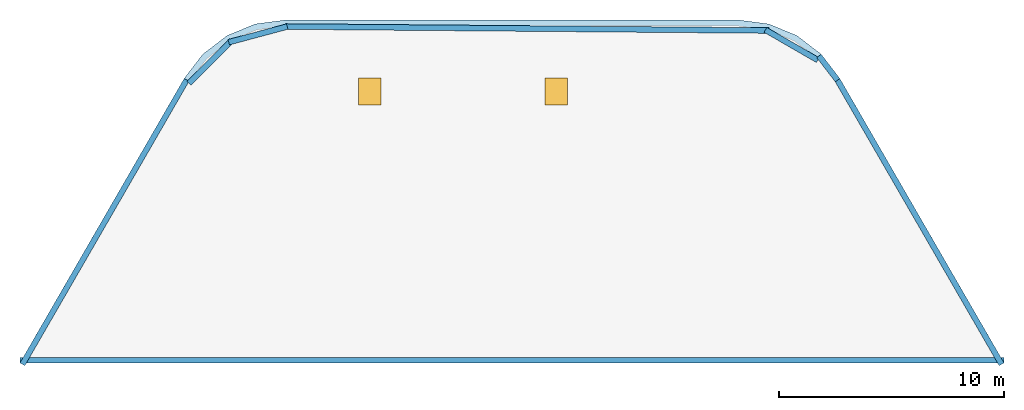
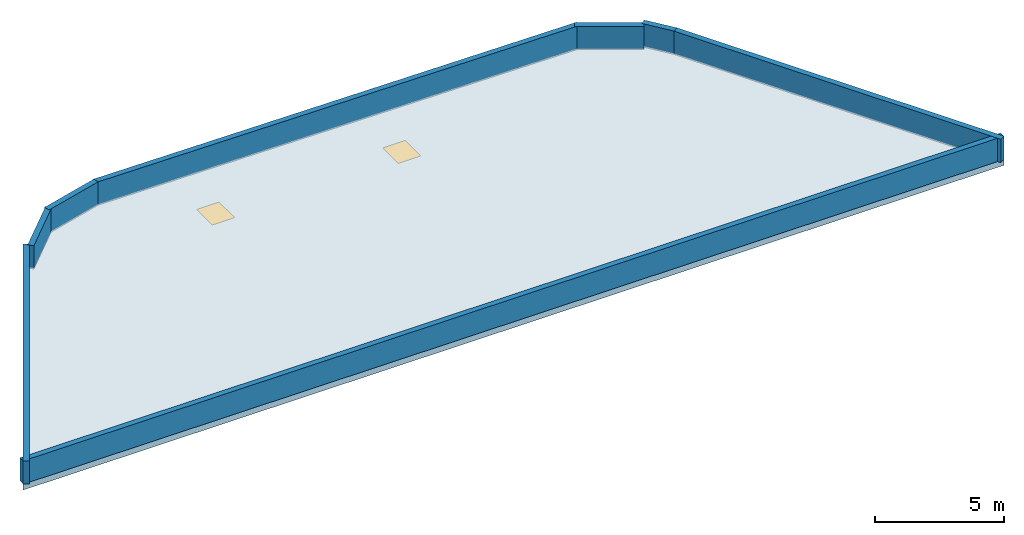
"""IFC4 building model written with IfcOpenShell, lengths in metres."""

from ifc_helpers import new_model, si_unit, direction, frame, frame_2d, origin, origin_2d, place, context, subcontext, project, spatial, polyline, rectangle, outline, extrude, material, layer, layer_set, type_object, element, fill, save


model = new_model("IFC4")

# Units and contexts
model_context = context("Model", 3, precision=1e-05, world=origin(), true_north=direction((0.0, 1.0)))
body_context = subcontext(model_context, "Body", "Model", "MODEL_VIEW")
ifc_project = project(units=[si_unit("LENGTHUNIT", "METRE"), si_unit("AREAUNIT", "SQUARE_METRE"), si_unit("VOLUMEUNIT", "CUBIC_METRE"), si_unit("PLANEANGLEUNIT", "RADIAN"), si_unit("MASSUNIT", "GRAM", prefix="KILO")], contexts=[model_context])

# Site, building, storey
site_placement = place(None, origin())
site = spatial("IfcSite", under=ifc_project, at=site_placement, CompositionType="ELEMENT")
building_placement = place(site_placement, origin())
building = spatial("IfcBuilding", under=site, at=building_placement, Name="Nakaniwa Court", CompositionType="ELEMENT")
storey_1_placement = place(building_placement, frame((0.0, 0.0, 297.60009765625)))
storey_1 = spatial("IfcBuildingStorey", under=building, at=storey_1_placement, Name="ROOF", CompositionType="ELEMENT", Elevation=297.60009765625)

# Slab, openings
ifc_material_1 = material(Name="Concrete C80/100", Category="concrete")
ifc_layer_1 = layer(ifc_material_1, 0.27490234375)
ifc_layer_set_1 = layer_set([ifc_layer_1], Name="Concrete C80/100")
slab_type = type_object("IfcSlabType", Name="Concrete C80/100 roof slab 275", PredefinedType="ROOF", material=ifc_layer_set_1)
slab_placement = place(storey_1_placement, frame((0.0, 0.0, -0.275146484375)))
slab = element("IfcSlab", 1, at=slab_placement, inside=storey_1, type_object=slab_type, Name="ROOF SLAB NORTH BAR", PredefinedType="ROOF", context=body_context, shape_type="SweptSolid", body=[
    extrude(outline(polyline([(58.118408203125, 87.39990234375), (101.881591796875, 87.39990234375), (94.578125, 100.050048828125), (93.751708984375, 101.126953125), (92.6748046875, 101.953369140625), (91.420654296875, 102.472900390625), (90.07470703125, 102.64990234375), (69.92529296875, 102.64990234375), (68.579345703125, 102.472900390625), (67.3251953125, 101.953369140625), (66.248291015625, 101.126953125), (65.421875, 100.050048828125), (58.118408203125, 87.39990234375)])), origin(), (0.0, 0.0, 1.0), 0.275146484375),
])
opening_1_placement = place(slab_placement, frame((73.675048828125, 99.47509765625, 0.0)))
opening_1 = element("IfcOpeningElement", 2, at=opening_1_placement, cuts=slab, Name="Opening XD14.01", PredefinedType="OPENING", context=body_context, shape_type="SweptSolid", body=[
    extrude(rectangle(XDim=1.0, YDim=1.199951171875, at=origin_2d()), frame((0.0, 0.0, -0.010009765625)), (0.0, 0.0, 1.0), 0.295166015625),
])
opening_2_placement = place(slab_placement, frame((81.97509765625, 99.47509765625, 0.0)))
opening_2 = element("IfcOpeningElement", 3, at=opening_2_placement, cuts=slab, Name="Opening XD14.02", PredefinedType="OPENING", context=body_context, shape_type="SweptSolid", body=[
    extrude(rectangle(XDim=1.0, YDim=1.199951171875, at=origin_2d()), frame((0.0, 0.0, -0.010009765625)), (0.0, 0.0, 1.0), 0.295166015625),
])

# Storey
storey_2_placement = place(building_placement, frame((0.0, 0.0, 294.0)))
storey_2 = spatial("IfcBuildingStorey", under=building, at=storey_2_placement, Name="C07", CompositionType="ELEMENT", Elevation=294.0)

# Door
ifc_material_2 = material(Name="Black powder-coated aluminium frame with dark laminated glass", Category="aluminium")
door_type = type_object("IfcDoorType", Name="Roof access hatch 1000x1200", OperationType="SINGLE_SWING_LEFT", PredefinedType="TRAPDOOR", material=ifc_material_2)
door_1_placement = place(opening_1_placement, frame((0.0, 0.0, 0.22509765625)))
door_1 = element("IfcDoor", 4, at=door_1_placement, inside=storey_2, type_object=door_type, Name="C07 roof access hatch W", OperationType="SINGLE_SWING_LEFT", OverallHeight=1.199951171875, OverallWidth=1.0, PredefinedType="TRAPDOOR", context=body_context, shape_type="SweptSolid", body=[
    extrude(rectangle(XDim=1.0, YDim=1.199951171875, at=origin_2d()), origin(), (0.0, 0.0, 1.0), 0.050048828125),
])

fill(opening_1, door_1)

door_2_placement = place(opening_2_placement, frame((0.0, 0.0, 0.22509765625)))
door_2 = element("IfcDoor", 5, at=door_2_placement, inside=storey_2, type_object=door_type, Name="C07 roof access hatch E", OperationType="SINGLE_SWING_LEFT", OverallHeight=1.199951171875, OverallWidth=1.0, PredefinedType="TRAPDOOR", context=body_context, shape_type="SweptSolid", body=[
    extrude(rectangle(XDim=1.0, YDim=1.199951171875, at=origin_2d()), origin(), (0.0, 0.0, 1.0), 0.050048828125),
])

fill(opening_2, door_2)

# Walls
ifc_material_3 = material(Name="Charcoal ceramic cladding")
ifc_layer_2 = layer(ifc_material_3, 0.02, Name="Ceramic cladding")
ifc_material_4 = material(Name="Mineral wool insulation")
ifc_layer_3 = layer(ifc_material_4, 0.03, Name="Insulation")
ifc_material_5 = material(Name="Precast concrete C40/50", Category="concrete")
ifc_layer_4 = layer(ifc_material_5, 0.2, Name="Parapet upstand")
ifc_layer_set_2 = layer_set([ifc_layer_2, ifc_layer_3, ifc_layer_4], Name="Charcoal ceramic cladding on precast concrete C40/50 upstand")
wall_type = type_object("IfcWallType", Name="Black ceramic parapet 250", PredefinedType="PARAPET", material=ifc_layer_set_2)
wall_1_placement = place(storey_1_placement, frame((65.5302734375, 99.987548828125, 0.0), z_axis=(0.0, 0.0, 1.0), x_axis=(-0.499994933211, -0.866028329077, 0.0)))
element("IfcWall", 6, at=wall_1_placement, inside=storey_1, type_object=wall_type, Name="C07 roof parapet, north bar 1", PredefinedType="PARAPET", context=body_context, shape_type="SweptSolid", body=[
    extrude(rectangle(XDim=14.607177734375, YDim=0.25, at=frame_2d((7.3037109375, 0.0))), origin(), (0.0, 0.0, 1.0), 1.099853515625),
])
wall_2_placement = place(storey_1_placement, frame((58.118408203125, 87.52490234375, 0.0), z_axis=(0.0, 0.0, 1.0), x_axis=(1.0, 0.0, 0.0)))
element("IfcWall", 7, at=wall_2_placement, inside=storey_1, type_object=wall_type, Name="C07 roof parapet, north bar 2", PredefinedType="PARAPET", context=body_context, shape_type="SweptSolid", body=[
    extrude(rectangle(XDim=43.76318359375, YDim=0.25, at=frame_2d((21.881591796875, 0.0))), origin(), (0.0, 0.0, 1.0), 1.099853515625),
])
wall_3_placement = place(storey_1_placement, frame((101.773193359375, 87.33740234375, 0.0), z_axis=(0.0, 0.0, 1.0), x_axis=(-0.499994933211, 0.866028329077, 0.0)))
element("IfcWall", 8, at=wall_3_placement, inside=storey_1, type_object=wall_type, Name="C07 roof parapet, north bar 3", PredefinedType="PARAPET", context=body_context, shape_type="SweptSolid", body=[
    extrude(rectangle(XDim=14.607177734375, YDim=0.25, at=frame_2d((7.3037109375, 0.0))), origin(), (0.0, 0.0, 1.0), 1.099853515625),
])
wall_4_placement = place(storey_1_placement, frame((94.47900390625, 99.973876953125, 0.0), z_axis=(0.0, 0.0, 1.0), x_axis=(-0.608797726736, 0.793325486746, 0.0)))
element("IfcWall", 9, at=wall_4_placement, inside=storey_1, type_object=wall_type, Name="C07 roof parapet, north bar 4", PredefinedType="PARAPET", context=body_context, shape_type="SweptSolid", body=[
    extrude(rectangle(XDim=1.357421875, YDim=0.25, at=frame_2d((0.6787109375, 0.0))), origin(), (0.0, 0.0, 1.0), 1.099853515625),
])
wall_5_placement = place(storey_1_placement, frame((93.6005859375, 100.865234375, 0.0), z_axis=(0.0, 0.0, 1.0), x_axis=(-0.866007351526, 0.500031266125, 0.0)))
element("IfcWall", 10, at=wall_5_placement, inside=storey_1, type_object=wall_type, Name="C07 roof parapet, north bar 5", PredefinedType="PARAPET", context=body_context, shape_type="SweptSolid", body=[
    extrude(rectangle(XDim=2.691650390625, YDim=0.25, at=frame_2d((1.345703125, 0.0))), origin(), (0.0, 0.0, 1.0), 1.099853515625),
])
wall_6_placement = place(storey_1_placement, frame((91.418212890625, 102.181640625, 0.0), z_axis=(0.0, 0.0, 1.0), x_axis=(-0.999966005262, 0.008245503093, 0.0)))
element("IfcWall", 11, at=wall_6_placement, inside=storey_1, type_object=wall_type, Name="C07 roof parapet, north bar 6", PredefinedType="PARAPET", context=body_context, shape_type="SweptSolid", body=[
    extrude(rectangle(XDim=21.49609375, YDim=0.25, at=frame_2d((10.748046875, 0.0))), origin(), (0.0, 0.0, 1.0), 1.099853515625),
])
wall_7_placement = place(storey_1_placement, frame((70.00341796875, 102.358154296875, 0.0), z_axis=(0.0, 0.0, 1.0), x_axis=(-0.965918091697, -0.258847909268, 0.0)))
element("IfcWall", 12, at=wall_7_placement, inside=storey_1, type_object=wall_type, Name="C07 roof parapet, north bar 7", PredefinedType="PARAPET", context=body_context, shape_type="SweptSolid", body=[
    extrude(rectangle(XDim=2.69189453125, YDim=0.25, at=frame_2d((1.345947265625, 0.0))), origin(), (0.0, 0.0, 1.0), 1.099853515625),
])
wall_8_placement = place(storey_1_placement, frame((67.538818359375, 101.739501953125, 0.0), z_axis=(0.0, 0.0, 1.0), x_axis=(-0.707106781187, -0.707106781187, 0.0)))
element("IfcWall", 13, at=wall_8_placement, inside=storey_1, type_object=wall_type, Name="C07 roof parapet, north bar 8", PredefinedType="PARAPET", context=body_context, shape_type="SweptSolid", body=[
    extrude(rectangle(XDim=2.691650390625, YDim=0.25, at=frame_2d((1.345703125, 0.0))), origin(), (0.0, 0.0, 1.0), 1.099853515625),
])

save(model, "model.ifc")
